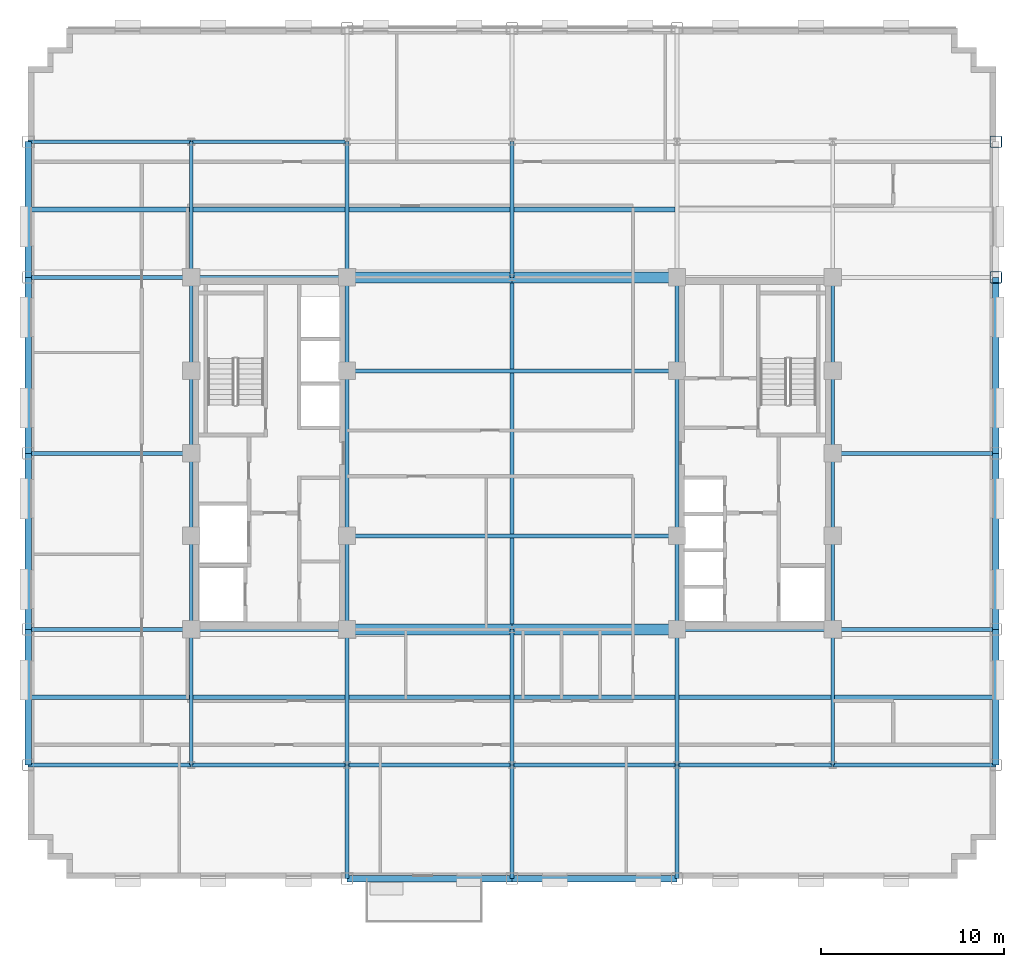
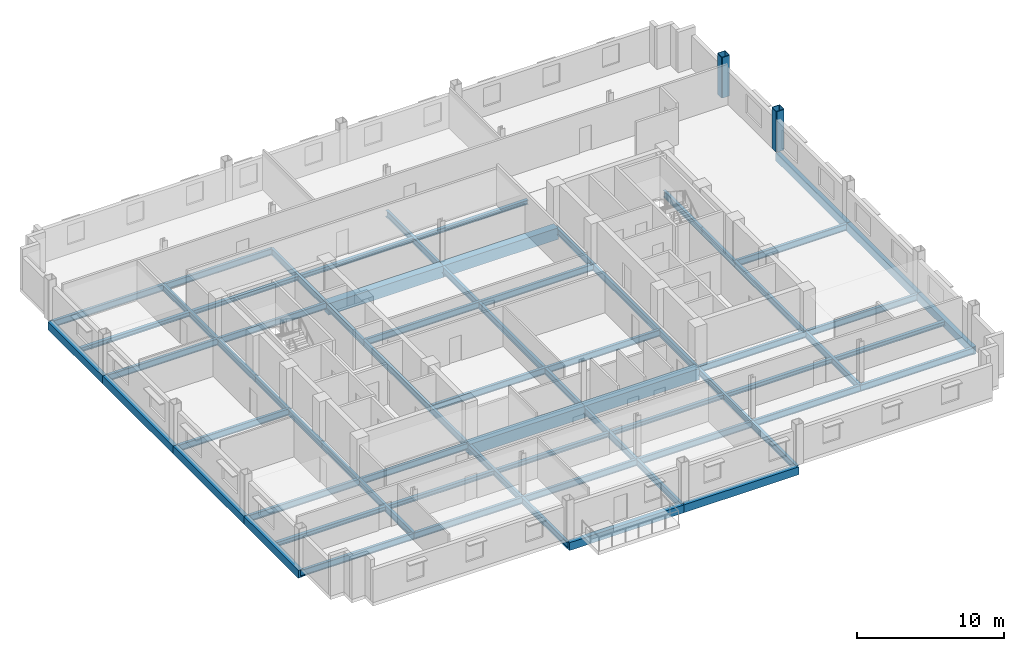
# One storey, part 4 of 13: 67 beams, 2 columns.
"""IFC4 building model written with IfcOpenShell, lengths in metres."""

from ifc_helpers import new_model, si_unit, direction, frame, origin, origin_2d, place, context, subcontext, project, spatial, rectangle, hollow_rectangle, i_section, extrude, material, material_profile, profile_set, type_object, element, save


model = new_model("IFC4")

# Units and contexts
model_context = context("Model", 3, precision=1e-05, world=origin(), true_north=direction((0.0, 1.0)))
body_context = subcontext(model_context, "Body", "Model", "MODEL_VIEW")
ifc_project = project(units=[si_unit("LENGTHUNIT", "METRE"), si_unit("AREAUNIT", "SQUARE_METRE"), si_unit("VOLUMEUNIT", "CUBIC_METRE"), si_unit("PLANEANGLEUNIT", "RADIAN"), si_unit("MASSUNIT", "GRAM", prefix="KILO")], contexts=[model_context])

# Site, building, storey
site_placement = place(None, origin())
site = spatial("IfcSite", under=ifc_project, at=site_placement, CompositionType="ELEMENT")
building_placement = place(site_placement, origin())
building = spatial("IfcBuilding", under=site, at=building_placement, Name="Nuvemarco Arch Tower", CompositionType="ELEMENT")
storey_placement = place(building_placement, frame((0.0, 0.0, 156.699951171875)))
storey = spatial("IfcBuildingStorey", under=building, at=storey_placement, Name="L41", CompositionType="ELEMENT", Elevation=156.699951171875)

# Columns
ifc_material_1 = material(Name="Steel S355", Category="steel")
ifc_material_profile_1 = material_profile(ifc_material_1, hollow_rectangle(XDim=0.64990234375, YDim=0.64990234375, WallThickness=0.0400390625, InnerFilletRadius=0.0400390625, OuterFilletRadius=0.080078125, at=origin_2d()), Name="SHS650x650x40")
ifc_profile_set_1 = profile_set([ifc_material_profile_1], Name="Steel S355")
column_type = type_object("IfcColumnType", Name="COL-EXO-650", PredefinedType="COLUMN", material=ifc_profile_set_1)
for number, where, z_axis, x_axis, name in (
    (1, (26.39990234375, 9.60009765625, 0.0), (0.0, 0.0, 1.0), (1.0, 0.0, 0.0), "L41 column CX_+26.4_+9.6"),
    (2, (26.39990234375, 17.0, 0.0), (0.0, 0.0, 1.0), (1.0, 0.0, 0.0), "L41 column CX_+26.4_+17.0"),
):
    element("IfcColumn", number, at=place(storey_placement, frame(where, z_axis=z_axis, x_axis=x_axis)), inside=storey, type_object=column_type, Name=name, PredefinedType="COLUMN", context=body_context, shape_type="SweptSolid", body=[
        extrude(hollow_rectangle(XDim=0.64990234375, YDim=0.64990234375, WallThickness=0.0400390625, InnerFilletRadius=0.0400390625, OuterFilletRadius=0.080078125, at=origin_2d()), origin(), (0.0, 0.0, 1.0), 3.3701171875),
    ])

# Beams
ifc_material_2 = material(Name="Concrete C60/75", Category="concrete")
ifc_material_profile_2 = material_profile(ifc_material_2, rectangle(XDim=0.60009765625, YDim=0.949951171875, at=origin_2d()), Name="RC-BM-600x950")
ifc_profile_set_2 = profile_set([ifc_material_profile_2], Name="Concrete C60/75")
beam_type_1 = type_object("IfcBeamType", Name="BM-COUP-RC", PredefinedType="LINTEL", material=ifc_profile_set_2)
for number, where, z_axis, x_axis, name in (
    (3, (-9.0, -9.60009765625, -0.7548828125), (1.0, 0.0, 0.0), (0.0, 1.0, 0.0), "L41 structural beam BGEW_L41_0_-9.6_-9.0"),
    (4, (0.0, -9.60009765625, -0.7548828125), (1.0, 0.0, 0.0), (0.0, 1.0, 0.0), "L41 structural beam BGEW_L41_0_-9.6_+0.0"),
    (5, (-9.0, 9.60009765625, -0.7548828125), (1.0, 0.0, 0.0), (0.0, 1.0, 0.0), "L41 structural beam BGEW_L41_0_+9.6_-9.0"),
    (6, (0.0, 9.60009765625, -0.7548828125), (1.0, 0.0, 0.0), (0.0, 1.0, 0.0), "L41 structural beam BGEW_L41_0_+9.6_+0.0"),
):
    element("IfcBeam", number, at=place(storey_placement, frame(where, z_axis=z_axis, x_axis=x_axis)), inside=storey, type_object=beam_type_1, Name=name, PredefinedType="LINTEL", context=body_context, shape_type="SweptSolid", body=[
        extrude(rectangle(XDim=0.60009765625, YDim=0.949951171875, at=origin_2d()), origin(), (0.0, 0.0, 1.0), 9.0),
    ])
ifc_material_profile_3 = material_profile(ifc_material_1, i_section(OverallWidth=0.2109375, OverallDepth=0.5390625, WebThickness=0.01171875, FlangeThickness=0.018798828125, FilletRadius=0.01611328125, at=origin_2d()), Name="W530x109")
ifc_profile_set_3 = profile_set([ifc_material_profile_3], Name="Steel S355")
beam_type_2 = type_object("IfcBeamType", Name="BM-GIRD-530", PredefinedType="BEAM", material=ifc_profile_set_3)
beam_1_placement = place(storey_placement, frame((-17.5, -17.0, -0.549560546875), z_axis=(0.0, 1.0, 0.0), x_axis=(-1.0, 0.0, 0.0)))
element("IfcBeam", 7, at=beam_1_placement, inside=storey, type_object=beam_type_2, Name="L41 structural beam BGNS_L41_0_-17.5_-17.0", PredefinedType="BEAM", context=body_context, shape_type="SweptSolid", body=[
    extrude(i_section(OverallWidth=0.2109375, OverallDepth=0.5390625, WebThickness=0.01171875, FlangeThickness=0.018798828125, FilletRadius=0.01611328125, at=origin_2d()), origin(), (0.0, 0.0, 1.0), 7.39990234375),
])
beam_2_placement = place(storey_placement, frame((-17.5, -9.60009765625, -0.549560546875), z_axis=(0.0, 1.0, 0.0), x_axis=(-1.0, 0.0, 0.0)))
element("IfcBeam", 8, at=beam_2_placement, inside=storey, type_object=beam_type_2, Name="L41 structural beam BGNS_L41_0_-17.5_-9.6", PredefinedType="BEAM", context=body_context, shape_type="SweptSolid", body=[
    extrude(i_section(OverallWidth=0.2109375, OverallDepth=0.5390625, WebThickness=0.01171875, FlangeThickness=0.018798828125, FilletRadius=0.01611328125, at=origin_2d()), origin(), (0.0, 0.0, 1.0), 5.10009765625),
])
for number, where, z_axis, x_axis, name in (
    (9, (-17.5, -4.5, -0.549560546875), (0.0, 1.0, 0.0), (-1.0, 0.0, 0.0), "L41 structural beam BGNS_L41_0_-17.5_-4.5"),
    (10, (-17.5, 0.0, -0.549560546875), (0.0, 1.0, 0.0), (-1.0, 0.0, 0.0), "L41 structural beam BGNS_L41_0_-17.5_+0.0"),
):
    element("IfcBeam", number, at=place(storey_placement, frame(where, z_axis=z_axis, x_axis=x_axis)), inside=storey, type_object=beam_type_2, Name=name, PredefinedType="BEAM", context=body_context, shape_type="SweptSolid", body=[
        extrude(i_section(OverallWidth=0.2109375, OverallDepth=0.5390625, WebThickness=0.01171875, FlangeThickness=0.018798828125, FilletRadius=0.01611328125, at=origin_2d()), origin(), (0.0, 0.0, 1.0), 4.5),
    ])
beam_3_placement = place(storey_placement, frame((-17.5, 4.5, -0.549560546875), z_axis=(0.0, 1.0, 0.0), x_axis=(-1.0, 0.0, 0.0)))
element("IfcBeam", 11, at=beam_3_placement, inside=storey, type_object=beam_type_2, Name="L41 structural beam BGNS_L41_0_-17.5_+4.5", PredefinedType="BEAM", context=body_context, shape_type="SweptSolid", body=[
    extrude(i_section(OverallWidth=0.2109375, OverallDepth=0.5390625, WebThickness=0.01171875, FlangeThickness=0.018798828125, FilletRadius=0.01611328125, at=origin_2d()), origin(), (0.0, 0.0, 1.0), 5.10009765625),
])
beam_4_placement = place(storey_placement, frame((-17.5, 9.60009765625, -0.549560546875), z_axis=(0.0, 1.0, 0.0), x_axis=(-1.0, 0.0, 0.0)))
element("IfcBeam", 12, at=beam_4_placement, inside=storey, type_object=beam_type_2, Name="L41 structural beam BGNS_L41_0_-17.5_+9.6", PredefinedType="BEAM", context=body_context, shape_type="SweptSolid", body=[
    extrude(i_section(OverallWidth=0.2109375, OverallDepth=0.5390625, WebThickness=0.01171875, FlangeThickness=0.018798828125, FilletRadius=0.01611328125, at=origin_2d()), origin(), (0.0, 0.0, 1.0), 7.39990234375),
])
beam_5_placement = place(storey_placement, frame((-9.0, -23.199951171875, -0.549560546875), z_axis=(0.0, 1.0, 0.0), x_axis=(-1.0, 0.0, 0.0)))
element("IfcBeam", 13, at=beam_5_placement, inside=storey, type_object=beam_type_2, Name="L41 structural beam BGNS_L41_0_-9.0_-23.2", PredefinedType="BEAM", context=body_context, shape_type="SweptSolid", body=[
    extrude(i_section(OverallWidth=0.2109375, OverallDepth=0.5390625, WebThickness=0.01171875, FlangeThickness=0.018798828125, FilletRadius=0.01611328125, at=origin_2d()), origin(), (0.0, 0.0, 1.0), 6.199951171875),
])
beam_6_placement = place(storey_placement, frame((-9.0, -17.0, -0.549560546875), z_axis=(0.0, 1.0, 0.0), x_axis=(-1.0, 0.0, 0.0)))
element("IfcBeam", 14, at=beam_6_placement, inside=storey, type_object=beam_type_2, Name="L41 structural beam BGNS_L41_0_-9.0_-17.0", PredefinedType="BEAM", context=body_context, shape_type="SweptSolid", body=[
    extrude(i_section(OverallWidth=0.2109375, OverallDepth=0.5390625, WebThickness=0.01171875, FlangeThickness=0.018798828125, FilletRadius=0.01611328125, at=origin_2d()), origin(), (0.0, 0.0, 1.0), 7.39990234375),
])
beam_7_placement = place(storey_placement, frame((-9.0, -9.60009765625, -0.549560546875), z_axis=(0.0, 1.0, 0.0), x_axis=(-1.0, 0.0, 0.0)))
element("IfcBeam", 15, at=beam_7_placement, inside=storey, type_object=beam_type_2, Name="L41 structural beam BGNS_L41_0_-9.0_-9.6", PredefinedType="BEAM", context=body_context, shape_type="SweptSolid", body=[
    extrude(i_section(OverallWidth=0.2109375, OverallDepth=0.5390625, WebThickness=0.01171875, FlangeThickness=0.018798828125, FilletRadius=0.01611328125, at=origin_2d()), origin(), (0.0, 0.0, 1.0), 5.10009765625),
])
beam_8_placement = place(storey_placement, frame((-9.0, -4.5, -0.549560546875), z_axis=(0.0, 1.0, 0.0), x_axis=(-1.0, 0.0, 0.0)))
element("IfcBeam", 16, at=beam_8_placement, inside=storey, type_object=beam_type_2, Name="L41 structural beam BGNS_L41_0_-9.0_-4.5", PredefinedType="BEAM", context=body_context, shape_type="SweptSolid", body=[
    extrude(i_section(OverallWidth=0.2109375, OverallDepth=0.5390625, WebThickness=0.01171875, FlangeThickness=0.018798828125, FilletRadius=0.01611328125, at=origin_2d()), origin(), (0.0, 0.0, 1.0), 9.0),
])
beam_9_placement = place(storey_placement, frame((-9.0, 4.5, -0.549560546875), z_axis=(0.0, 1.0, 0.0), x_axis=(-1.0, 0.0, 0.0)))
element("IfcBeam", 17, at=beam_9_placement, inside=storey, type_object=beam_type_2, Name="L41 structural beam BGNS_L41_0_-9.0_+4.5", PredefinedType="BEAM", context=body_context, shape_type="SweptSolid", body=[
    extrude(i_section(OverallWidth=0.2109375, OverallDepth=0.5390625, WebThickness=0.01171875, FlangeThickness=0.018798828125, FilletRadius=0.01611328125, at=origin_2d()), origin(), (0.0, 0.0, 1.0), 5.10009765625),
])
beam_10_placement = place(storey_placement, frame((-9.0, 9.60009765625, -0.549560546875), z_axis=(0.0, 1.0, 0.0), x_axis=(-1.0, 0.0, 0.0)))
element("IfcBeam", 18, at=beam_10_placement, inside=storey, type_object=beam_type_2, Name="L41 structural beam BGNS_L41_0_-9.0_+9.6", PredefinedType="BEAM", context=body_context, shape_type="SweptSolid", body=[
    extrude(i_section(OverallWidth=0.2109375, OverallDepth=0.5390625, WebThickness=0.01171875, FlangeThickness=0.018798828125, FilletRadius=0.01611328125, at=origin_2d()), origin(), (0.0, 0.0, 1.0), 7.39990234375),
])
beam_11_placement = place(storey_placement, frame((0.0, -23.199951171875, -0.549560546875), z_axis=(0.0, 1.0, 0.0), x_axis=(-1.0, 0.0, 0.0)))
element("IfcBeam", 19, at=beam_11_placement, inside=storey, type_object=beam_type_2, Name="L41 structural beam BGNS_L41_0_+0.0_-23.2", PredefinedType="BEAM", context=body_context, shape_type="SweptSolid", body=[
    extrude(i_section(OverallWidth=0.2109375, OverallDepth=0.5390625, WebThickness=0.01171875, FlangeThickness=0.018798828125, FilletRadius=0.01611328125, at=origin_2d()), origin(), (0.0, 0.0, 1.0), 6.199951171875),
])
beam_12_placement = place(storey_placement, frame((0.0, -17.0, -0.549560546875), z_axis=(0.0, 1.0, 0.0), x_axis=(-1.0, 0.0, 0.0)))
element("IfcBeam", 20, at=beam_12_placement, inside=storey, type_object=beam_type_2, Name="L41 structural beam BGNS_L41_0_+0.0_-17.0", PredefinedType="BEAM", context=body_context, shape_type="SweptSolid", body=[
    extrude(i_section(OverallWidth=0.2109375, OverallDepth=0.5390625, WebThickness=0.01171875, FlangeThickness=0.018798828125, FilletRadius=0.01611328125, at=origin_2d()), origin(), (0.0, 0.0, 1.0), 7.39990234375),
])
beam_13_placement = place(storey_placement, frame((0.0, -9.60009765625, -0.549560546875), z_axis=(0.0, 1.0, 0.0), x_axis=(-1.0, 0.0, 0.0)))
element("IfcBeam", 21, at=beam_13_placement, inside=storey, type_object=beam_type_2, Name="L41 structural beam BGNS_L41_0_+0.0_-9.6", PredefinedType="BEAM", context=body_context, shape_type="SweptSolid", body=[
    extrude(i_section(OverallWidth=0.2109375, OverallDepth=0.5390625, WebThickness=0.01171875, FlangeThickness=0.018798828125, FilletRadius=0.01611328125, at=origin_2d()), origin(), (0.0, 0.0, 1.0), 19.2001953125),
])
beam_14_placement = place(storey_placement, frame((0.0, 9.60009765625, -0.549560546875), z_axis=(0.0, 1.0, 0.0), x_axis=(-1.0, 0.0, 0.0)))
element("IfcBeam", 22, at=beam_14_placement, inside=storey, type_object=beam_type_2, Name="L41 structural beam BGNS_L41_0_+0.0_+9.6", PredefinedType="BEAM", context=body_context, shape_type="SweptSolid", body=[
    extrude(i_section(OverallWidth=0.2109375, OverallDepth=0.5390625, WebThickness=0.01171875, FlangeThickness=0.018798828125, FilletRadius=0.01611328125, at=origin_2d()), origin(), (0.0, 0.0, 1.0), 7.39990234375),
])
beam_15_placement = place(storey_placement, frame((9.0, -23.199951171875, -0.549560546875), z_axis=(0.0, 1.0, 0.0), x_axis=(-1.0, 0.0, 0.0)))
element("IfcBeam", 23, at=beam_15_placement, inside=storey, type_object=beam_type_2, Name="L41 structural beam BGNS_L41_0_+9.0_-23.2", PredefinedType="BEAM", context=body_context, shape_type="SweptSolid", body=[
    extrude(i_section(OverallWidth=0.2109375, OverallDepth=0.5390625, WebThickness=0.01171875, FlangeThickness=0.018798828125, FilletRadius=0.01611328125, at=origin_2d()), origin(), (0.0, 0.0, 1.0), 6.199951171875),
])
beam_16_placement = place(storey_placement, frame((9.0, -17.0, -0.549560546875), z_axis=(0.0, 1.0, 0.0), x_axis=(-1.0, 0.0, 0.0)))
element("IfcBeam", 24, at=beam_16_placement, inside=storey, type_object=beam_type_2, Name="L41 structural beam BGNS_L41_0_+9.0_-17.0", PredefinedType="BEAM", context=body_context, shape_type="SweptSolid", body=[
    extrude(i_section(OverallWidth=0.2109375, OverallDepth=0.5390625, WebThickness=0.01171875, FlangeThickness=0.018798828125, FilletRadius=0.01611328125, at=origin_2d()), origin(), (0.0, 0.0, 1.0), 7.39990234375),
])
beam_17_placement = place(storey_placement, frame((9.0, -9.60009765625, -0.549560546875), z_axis=(0.0, 1.0, 0.0), x_axis=(-1.0, 0.0, 0.0)))
element("IfcBeam", 25, at=beam_17_placement, inside=storey, type_object=beam_type_2, Name="L41 structural beam BGNS_L41_0_+9.0_-9.6", PredefinedType="BEAM", context=body_context, shape_type="SweptSolid", body=[
    extrude(i_section(OverallWidth=0.2109375, OverallDepth=0.5390625, WebThickness=0.01171875, FlangeThickness=0.018798828125, FilletRadius=0.01611328125, at=origin_2d()), origin(), (0.0, 0.0, 1.0), 5.10009765625),
])
beam_18_placement = place(storey_placement, frame((9.0, -4.5, -0.549560546875), z_axis=(0.0, 1.0, 0.0), x_axis=(-1.0, 0.0, 0.0)))
element("IfcBeam", 26, at=beam_18_placement, inside=storey, type_object=beam_type_2, Name="L41 structural beam BGNS_L41_0_+9.0_-4.5", PredefinedType="BEAM", context=body_context, shape_type="SweptSolid", body=[
    extrude(i_section(OverallWidth=0.2109375, OverallDepth=0.5390625, WebThickness=0.01171875, FlangeThickness=0.018798828125, FilletRadius=0.01611328125, at=origin_2d()), origin(), (0.0, 0.0, 1.0), 9.0),
])
beam_19_placement = place(storey_placement, frame((9.0, 4.5, -0.549560546875), z_axis=(0.0, 1.0, 0.0), x_axis=(-1.0, 0.0, 0.0)))
element("IfcBeam", 27, at=beam_19_placement, inside=storey, type_object=beam_type_2, Name="L41 structural beam BGNS_L41_0_+9.0_+4.5", PredefinedType="BEAM", context=body_context, shape_type="SweptSolid", body=[
    extrude(i_section(OverallWidth=0.2109375, OverallDepth=0.5390625, WebThickness=0.01171875, FlangeThickness=0.018798828125, FilletRadius=0.01611328125, at=origin_2d()), origin(), (0.0, 0.0, 1.0), 5.10009765625),
])
beam_20_placement = place(storey_placement, frame((17.5, -17.0, -0.549560546875), z_axis=(0.0, 1.0, 0.0), x_axis=(-1.0, 0.0, 0.0)))
element("IfcBeam", 28, at=beam_20_placement, inside=storey, type_object=beam_type_2, Name="L41 structural beam BGNS_L41_0_+17.5_-17.0", PredefinedType="BEAM", context=body_context, shape_type="SweptSolid", body=[
    extrude(i_section(OverallWidth=0.2109375, OverallDepth=0.5390625, WebThickness=0.01171875, FlangeThickness=0.018798828125, FilletRadius=0.01611328125, at=origin_2d()), origin(), (0.0, 0.0, 1.0), 7.39990234375),
])
beam_21_placement = place(storey_placement, frame((17.5, -9.60009765625, -0.549560546875), z_axis=(0.0, 1.0, 0.0), x_axis=(-1.0, 0.0, 0.0)))
element("IfcBeam", 29, at=beam_21_placement, inside=storey, type_object=beam_type_2, Name="L41 structural beam BGNS_L41_0_+17.5_-9.6", PredefinedType="BEAM", context=body_context, shape_type="SweptSolid", body=[
    extrude(i_section(OverallWidth=0.2109375, OverallDepth=0.5390625, WebThickness=0.01171875, FlangeThickness=0.018798828125, FilletRadius=0.01611328125, at=origin_2d()), origin(), (0.0, 0.0, 1.0), 5.10009765625),
])
for number, where, z_axis, x_axis, name in (
    (30, (17.5, -4.5, -0.549560546875), (0.0, 1.0, 0.0), (-1.0, 0.0, 0.0), "L41 structural beam BGNS_L41_0_+17.5_-4.5"),
    (31, (17.5, 0.0, -0.549560546875), (0.0, 1.0, 0.0), (-1.0, 0.0, 0.0), "L41 structural beam BGNS_L41_0_+17.5_+0.0"),
):
    element("IfcBeam", number, at=place(storey_placement, frame(where, z_axis=z_axis, x_axis=x_axis)), inside=storey, type_object=beam_type_2, Name=name, PredefinedType="BEAM", context=body_context, shape_type="SweptSolid", body=[
        extrude(i_section(OverallWidth=0.2109375, OverallDepth=0.5390625, WebThickness=0.01171875, FlangeThickness=0.018798828125, FilletRadius=0.01611328125, at=origin_2d()), origin(), (0.0, 0.0, 1.0), 4.5),
    ])
beam_22_placement = place(storey_placement, frame((17.5, 4.5, -0.549560546875), z_axis=(0.0, 1.0, 0.0), x_axis=(-1.0, 0.0, 0.0)))
element("IfcBeam", 32, at=beam_22_placement, inside=storey, type_object=beam_type_2, Name="L41 structural beam BGNS_L41_0_+17.5_+4.5", PredefinedType="BEAM", context=body_context, shape_type="SweptSolid", body=[
    extrude(i_section(OverallWidth=0.2109375, OverallDepth=0.5390625, WebThickness=0.01171875, FlangeThickness=0.018798828125, FilletRadius=0.01611328125, at=origin_2d()), origin(), (0.0, 0.0, 1.0), 5.10009765625),
])
beam_23_placement = place(storey_placement, frame((-26.39990234375, -17.0, -0.549560546875), z_axis=(1.0, 0.0, 0.0), x_axis=(0.0, 1.0, 0.0)))
element("IfcBeam", 33, at=beam_23_placement, inside=storey, type_object=beam_type_2, Name="L41 structural beam BGEW_L41_0_-17.0_-26.4", PredefinedType="BEAM", context=body_context, shape_type="SweptSolid", body=[
    extrude(i_section(OverallWidth=0.2109375, OverallDepth=0.5390625, WebThickness=0.01171875, FlangeThickness=0.018798828125, FilletRadius=0.01611328125, at=origin_2d()), origin(), (0.0, 0.0, 1.0), 8.89990234375),
])
beam_24_placement = place(storey_placement, frame((-17.5, -17.0, -0.549560546875), z_axis=(1.0, 0.0, 0.0), x_axis=(0.0, 1.0, 0.0)))
element("IfcBeam", 34, at=beam_24_placement, inside=storey, type_object=beam_type_2, Name="L41 structural beam BGEW_L41_0_-17.0_-17.5", PredefinedType="BEAM", context=body_context, shape_type="SweptSolid", body=[
    extrude(i_section(OverallWidth=0.2109375, OverallDepth=0.5390625, WebThickness=0.01171875, FlangeThickness=0.018798828125, FilletRadius=0.01611328125, at=origin_2d()), origin(), (0.0, 0.0, 1.0), 8.5),
])
for number, where, z_axis, x_axis, name in (
    (35, (-9.0, -17.0, -0.549560546875), (1.0, 0.0, 0.0), (0.0, 1.0, 0.0), "L41 structural beam BGEW_L41_0_-17.0_-9.0"),
    (36, (0.0, -17.0, -0.549560546875), (1.0, 0.0, 0.0), (0.0, 1.0, 0.0), "L41 structural beam BGEW_L41_0_-17.0_+0.0"),
):
    element("IfcBeam", number, at=place(storey_placement, frame(where, z_axis=z_axis, x_axis=x_axis)), inside=storey, type_object=beam_type_2, Name=name, PredefinedType="BEAM", context=body_context, shape_type="SweptSolid", body=[
        extrude(i_section(OverallWidth=0.2109375, OverallDepth=0.5390625, WebThickness=0.01171875, FlangeThickness=0.018798828125, FilletRadius=0.01611328125, at=origin_2d()), origin(), (0.0, 0.0, 1.0), 9.0),
    ])
beam_25_placement = place(storey_placement, frame((9.0, -17.0, -0.549560546875), z_axis=(1.0, 0.0, 0.0), x_axis=(0.0, 1.0, 0.0)))
element("IfcBeam", 37, at=beam_25_placement, inside=storey, type_object=beam_type_2, Name="L41 structural beam BGEW_L41_0_-17.0_+9.0", PredefinedType="BEAM", context=body_context, shape_type="SweptSolid", body=[
    extrude(i_section(OverallWidth=0.2109375, OverallDepth=0.5390625, WebThickness=0.01171875, FlangeThickness=0.018798828125, FilletRadius=0.01611328125, at=origin_2d()), origin(), (0.0, 0.0, 1.0), 8.5),
])
for number, where, z_axis, x_axis, name in (
    (38, (17.5, -17.0, -0.549560546875), (1.0, 0.0, 0.0), (0.0, 1.0, 0.0), "L41 structural beam BGEW_L41_0_-17.0_+17.5"),
    (39, (-26.39990234375, -9.60009765625, -0.549560546875), (1.0, 0.0, 0.0), (0.0, 1.0, 0.0), "L41 structural beam BGEW_L41_0_-9.6_-26.4"),
):
    element("IfcBeam", number, at=place(storey_placement, frame(where, z_axis=z_axis, x_axis=x_axis)), inside=storey, type_object=beam_type_2, Name=name, PredefinedType="BEAM", context=body_context, shape_type="SweptSolid", body=[
        extrude(i_section(OverallWidth=0.2109375, OverallDepth=0.5390625, WebThickness=0.01171875, FlangeThickness=0.018798828125, FilletRadius=0.01611328125, at=origin_2d()), origin(), (0.0, 0.0, 1.0), 8.89990234375),
    ])
for number, where, z_axis, x_axis, name in (
    (40, (-17.5, -9.60009765625, -0.549560546875), (1.0, 0.0, 0.0), (0.0, 1.0, 0.0), "L41 structural beam BGEW_L41_0_-9.6_-17.5"),
    (41, (9.0, -9.60009765625, -0.549560546875), (1.0, 0.0, 0.0), (0.0, 1.0, 0.0), "L41 structural beam BGEW_L41_0_-9.6_+9.0"),
):
    element("IfcBeam", number, at=place(storey_placement, frame(where, z_axis=z_axis, x_axis=x_axis)), inside=storey, type_object=beam_type_2, Name=name, PredefinedType="BEAM", context=body_context, shape_type="SweptSolid", body=[
        extrude(i_section(OverallWidth=0.2109375, OverallDepth=0.5390625, WebThickness=0.01171875, FlangeThickness=0.018798828125, FilletRadius=0.01611328125, at=origin_2d()), origin(), (0.0, 0.0, 1.0), 8.5),
    ])
beam_26_placement = place(storey_placement, frame((17.5, -9.60009765625, -0.549560546875), z_axis=(1.0, 0.0, 0.0), x_axis=(0.0, 1.0, 0.0)))
element("IfcBeam", 42, at=beam_26_placement, inside=storey, type_object=beam_type_2, Name="L41 structural beam BGEW_L41_0_-9.6_+17.5", PredefinedType="BEAM", context=body_context, shape_type="SweptSolid", body=[
    extrude(i_section(OverallWidth=0.2109375, OverallDepth=0.5390625, WebThickness=0.01171875, FlangeThickness=0.018798828125, FilletRadius=0.01611328125, at=origin_2d()), origin(), (0.0, 0.0, 1.0), 8.89990234375),
])
beam_27_placement = place(storey_placement, frame((-9.0, -4.5, -0.549560546875), z_axis=(1.0, 0.0, 0.0), x_axis=(0.0, 1.0, 0.0)))
element("IfcBeam", 43, at=beam_27_placement, inside=storey, type_object=beam_type_2, Name="L41 structural beam BGEW_L41_0_-4.5_-9.0", PredefinedType="BEAM", context=body_context, shape_type="SweptSolid", body=[
    extrude(i_section(OverallWidth=0.2109375, OverallDepth=0.5390625, WebThickness=0.01171875, FlangeThickness=0.018798828125, FilletRadius=0.01611328125, at=origin_2d()), origin(), (0.0, 0.0, 1.0), 18.0),
])
for number, where, z_axis, x_axis, name in (
    (44, (-26.39990234375, 0.0, -0.549560546875), (1.0, 0.0, 0.0), (0.0, 1.0, 0.0), "L41 structural beam BGEW_L41_0_+0.0_-26.4"),
    (45, (17.5, 0.0, -0.549560546875), (1.0, 0.0, 0.0), (0.0, 1.0, 0.0), "L41 structural beam BGEW_L41_0_+0.0_+17.5"),
):
    element("IfcBeam", number, at=place(storey_placement, frame(where, z_axis=z_axis, x_axis=x_axis)), inside=storey, type_object=beam_type_2, Name=name, PredefinedType="BEAM", context=body_context, shape_type="SweptSolid", body=[
        extrude(i_section(OverallWidth=0.2109375, OverallDepth=0.5390625, WebThickness=0.01171875, FlangeThickness=0.018798828125, FilletRadius=0.01611328125, at=origin_2d()), origin(), (0.0, 0.0, 1.0), 8.89990234375),
    ])
beam_28_placement = place(storey_placement, frame((-9.0, 4.5, -0.549560546875), z_axis=(1.0, 0.0, 0.0), x_axis=(0.0, 1.0, 0.0)))
element("IfcBeam", 46, at=beam_28_placement, inside=storey, type_object=beam_type_2, Name="L41 structural beam BGEW_L41_0_+4.5_-9.0", PredefinedType="BEAM", context=body_context, shape_type="SweptSolid", body=[
    extrude(i_section(OverallWidth=0.2109375, OverallDepth=0.5390625, WebThickness=0.01171875, FlangeThickness=0.018798828125, FilletRadius=0.01611328125, at=origin_2d()), origin(), (0.0, 0.0, 1.0), 18.0),
])
beam_29_placement = place(storey_placement, frame((-26.39990234375, 9.60009765625, -0.549560546875), z_axis=(1.0, 0.0, 0.0), x_axis=(0.0, 1.0, 0.0)))
element("IfcBeam", 47, at=beam_29_placement, inside=storey, type_object=beam_type_2, Name="L41 structural beam BGEW_L41_0_+9.6_-26.4", PredefinedType="BEAM", context=body_context, shape_type="SweptSolid", body=[
    extrude(i_section(OverallWidth=0.2109375, OverallDepth=0.5390625, WebThickness=0.01171875, FlangeThickness=0.018798828125, FilletRadius=0.01611328125, at=origin_2d()), origin(), (0.0, 0.0, 1.0), 8.89990234375),
])
beam_30_placement = place(storey_placement, frame((-17.5, 9.60009765625, -0.549560546875), z_axis=(1.0, 0.0, 0.0), x_axis=(0.0, 1.0, 0.0)))
element("IfcBeam", 48, at=beam_30_placement, inside=storey, type_object=beam_type_2, Name="L41 structural beam BGEW_L41_0_+9.6_-17.5", PredefinedType="BEAM", context=body_context, shape_type="SweptSolid", body=[
    extrude(i_section(OverallWidth=0.2109375, OverallDepth=0.5390625, WebThickness=0.01171875, FlangeThickness=0.018798828125, FilletRadius=0.01611328125, at=origin_2d()), origin(), (0.0, 0.0, 1.0), 8.5),
])
beam_31_placement = place(storey_placement, frame((-26.39990234375, 17.0, -0.549560546875), z_axis=(1.0, 0.0, 0.0), x_axis=(0.0, 1.0, 0.0)))
element("IfcBeam", 49, at=beam_31_placement, inside=storey, type_object=beam_type_2, Name="L41 structural beam BGEW_L41_0_+17.0_-26.4", PredefinedType="BEAM", context=body_context, shape_type="SweptSolid", body=[
    extrude(i_section(OverallWidth=0.2109375, OverallDepth=0.5390625, WebThickness=0.01171875, FlangeThickness=0.018798828125, FilletRadius=0.01611328125, at=origin_2d()), origin(), (0.0, 0.0, 1.0), 8.89990234375),
])
beam_32_placement = place(storey_placement, frame((-17.5, 17.0, -0.549560546875), z_axis=(1.0, 0.0, 0.0), x_axis=(0.0, 1.0, 0.0)))
element("IfcBeam", 50, at=beam_32_placement, inside=storey, type_object=beam_type_2, Name="L41 structural beam BGEW_L41_0_+17.0_-17.5", PredefinedType="BEAM", context=body_context, shape_type="SweptSolid", body=[
    extrude(i_section(OverallWidth=0.2109375, OverallDepth=0.5390625, WebThickness=0.01171875, FlangeThickness=0.018798828125, FilletRadius=0.01611328125, at=origin_2d()), origin(), (0.0, 0.0, 1.0), 8.5),
])
ifc_material_profile_4 = material_profile(ifc_material_1, i_section(OverallWidth=0.2548828125, OverallDepth=0.35693359375, WebThickness=0.010498046875, FlangeThickness=0.018310546875, FilletRadius=0.014892578125, at=origin_2d()), Name="W360x101")
ifc_profile_set_4 = profile_set([ifc_material_profile_4], Name="Steel S355")
beam_type_3 = type_object("IfcBeamType", Name="BM-JOIST-360H", PredefinedType="JOIST", material=ifc_profile_set_4)
beam_33_placement = place(storey_placement, frame((-26.22509765625, -13.300048828125, -0.45849609375), z_axis=(1.0, 0.0, 0.0), x_axis=(0.0, 1.0, 0.0)))
element("IfcBeam", 51, at=beam_33_placement, inside=storey, type_object=beam_type_3, Name="L41 structural beam BJ_L41_0_-13.3_-26.4", PredefinedType="JOIST", context=body_context, shape_type="SweptSolid", body=[
    extrude(i_section(OverallWidth=0.2548828125, OverallDepth=0.35693359375, WebThickness=0.010498046875, FlangeThickness=0.018310546875, FilletRadius=0.014892578125, at=origin_2d()), origin(), (0.0, 0.0, 1.0), 8.61962890625),
])
beam_34_placement = place(storey_placement, frame((-17.39453125, -13.300048828125, -0.45849609375), z_axis=(1.0, 0.0, 0.0), x_axis=(0.0, 1.0, 0.0)))
element("IfcBeam", 52, at=beam_34_placement, inside=storey, type_object=beam_type_3, Name="L41 structural beam BJ_L41_0_-13.3_-17.5", PredefinedType="JOIST", context=body_context, shape_type="SweptSolid", body=[
    extrude(i_section(OverallWidth=0.2548828125, OverallDepth=0.35693359375, WebThickness=0.010498046875, FlangeThickness=0.018310546875, FilletRadius=0.014892578125, at=origin_2d()), origin(), (0.0, 0.0, 1.0), 8.2890625),
])
for number, where, z_axis, x_axis, name in (
    (53, (-8.89453125, -13.300048828125, -0.45849609375), (1.0, 0.0, 0.0), (0.0, 1.0, 0.0), "L41 structural beam BJ_L41_0_-13.3_-9.0"),
    (54, (0.10546875, -13.300048828125, -0.45849609375), (1.0, 0.0, 0.0), (0.0, 1.0, 0.0), "L41 structural beam BJ_L41_0_-13.3_+0.0"),
):
    element("IfcBeam", number, at=place(storey_placement, frame(where, z_axis=z_axis, x_axis=x_axis)), inside=storey, type_object=beam_type_3, Name=name, PredefinedType="JOIST", context=body_context, shape_type="SweptSolid", body=[
        extrude(i_section(OverallWidth=0.2548828125, OverallDepth=0.35693359375, WebThickness=0.010498046875, FlangeThickness=0.018310546875, FilletRadius=0.014892578125, at=origin_2d()), origin(), (0.0, 0.0, 1.0), 8.7890625),
    ])
beam_35_placement = place(storey_placement, frame((9.10546875, -13.300048828125, -0.45849609375), z_axis=(1.0, 0.0, 0.0), x_axis=(0.0, 1.0, 0.0)))
element("IfcBeam", 55, at=beam_35_placement, inside=storey, type_object=beam_type_3, Name="L41 structural beam BJ_L41_0_-13.3_+9.0", PredefinedType="JOIST", context=body_context, shape_type="SweptSolid", body=[
    extrude(i_section(OverallWidth=0.2548828125, OverallDepth=0.35693359375, WebThickness=0.010498046875, FlangeThickness=0.018310546875, FilletRadius=0.014892578125, at=origin_2d()), origin(), (0.0, 0.0, 1.0), 8.2890625),
])
for number, where, z_axis, x_axis, name in (
    (56, (17.60546875, -13.300048828125, -0.45849609375), (1.0, 0.0, 0.0), (0.0, 1.0, 0.0), "L41 structural beam BJ_L41_0_-13.3_+17.5"),
    (57, (-26.22509765625, 13.300048828125, -0.45849609375), (1.0, 0.0, 0.0), (0.0, 1.0, 0.0), "L41 structural beam BJ_L41_0_+13.3_-26.4"),
):
    element("IfcBeam", number, at=place(storey_placement, frame(where, z_axis=z_axis, x_axis=x_axis)), inside=storey, type_object=beam_type_3, Name=name, PredefinedType="JOIST", context=body_context, shape_type="SweptSolid", body=[
        extrude(i_section(OverallWidth=0.2548828125, OverallDepth=0.35693359375, WebThickness=0.010498046875, FlangeThickness=0.018310546875, FilletRadius=0.014892578125, at=origin_2d()), origin(), (0.0, 0.0, 1.0), 8.61962890625),
    ])
beam_36_placement = place(storey_placement, frame((-17.39453125, 13.300048828125, -0.45849609375), z_axis=(1.0, 0.0, 0.0), x_axis=(0.0, 1.0, 0.0)))
element("IfcBeam", 58, at=beam_36_placement, inside=storey, type_object=beam_type_3, Name="L41 structural beam BJ_L41_0_+13.3_-17.5", PredefinedType="JOIST", context=body_context, shape_type="SweptSolid", body=[
    extrude(i_section(OverallWidth=0.2548828125, OverallDepth=0.35693359375, WebThickness=0.010498046875, FlangeThickness=0.018310546875, FilletRadius=0.014892578125, at=origin_2d()), origin(), (0.0, 0.0, 1.0), 8.2890625),
])
for number, where, z_axis, x_axis, name in (
    (59, (-8.89453125, 13.300048828125, -0.45849609375), (1.0, 0.0, 0.0), (0.0, 1.0, 0.0), "L41 structural beam BJ_L41_0_+13.3_-9.0"),
    (60, (0.10546875, 13.300048828125, -0.45849609375), (1.0, 0.0, 0.0), (0.0, 1.0, 0.0), "L41 structural beam BJ_L41_0_+13.3_+0.0"),
):
    element("IfcBeam", number, at=place(storey_placement, frame(where, z_axis=z_axis, x_axis=x_axis)), inside=storey, type_object=beam_type_3, Name=name, PredefinedType="JOIST", context=body_context, shape_type="SweptSolid", body=[
        extrude(i_section(OverallWidth=0.2548828125, OverallDepth=0.35693359375, WebThickness=0.010498046875, FlangeThickness=0.018310546875, FilletRadius=0.014892578125, at=origin_2d()), origin(), (0.0, 0.0, 1.0), 8.7890625),
    ])
ifc_material_3 = material(Name="Precast concrete C45/55", Category="concrete")
ifc_material_profile_5 = material_profile(ifc_material_3, rectangle(XDim=0.35009765625, YDim=0.64990234375, at=origin_2d()), Name="PC-SP-350x650")
ifc_profile_set_5 = profile_set([ifc_material_profile_5], Name="Precast concrete C45/55")
beam_type_4 = type_object("IfcBeamType", Name="BM-SPAN-RC", PredefinedType="SPANDREL", material=ifc_profile_set_5)
beam_37_placement = place(storey_placement, frame((-26.39990234375, -17.0, -0.60498046875), z_axis=(0.0, 1.0, 0.0), x_axis=(-1.0, 0.0, 0.0)))
element("IfcBeam", 61, at=beam_37_placement, inside=storey, type_object=beam_type_4, Name="L41 structural beam BGNS_L41_0_-26.4_-17.0", PredefinedType="SPANDREL", context=body_context, shape_type="SweptSolid", body=[
    extrude(rectangle(XDim=0.35009765625, YDim=0.64990234375, at=origin_2d()), origin(), (0.0, 0.0, 1.0), 7.39990234375),
])
for number, where, z_axis, x_axis, name in (
    (62, (-26.39990234375, -9.60009765625, -0.60498046875), (0.0, 1.0, 0.0), (-1.0, 0.0, 0.0), "L41 structural beam BGNS_L41_0_-26.4_-9.6"),
    (63, (-26.39990234375, 0.0, -0.60498046875), (0.0, 1.0, 0.0), (-1.0, 0.0, 0.0), "L41 structural beam BGNS_L41_0_-26.4_+0.0"),
):
    element("IfcBeam", number, at=place(storey_placement, frame(where, z_axis=z_axis, x_axis=x_axis)), inside=storey, type_object=beam_type_4, Name=name, PredefinedType="SPANDREL", context=body_context, shape_type="SweptSolid", body=[
        extrude(rectangle(XDim=0.35009765625, YDim=0.64990234375, at=origin_2d()), origin(), (0.0, 0.0, 1.0), 9.60009765625),
    ])
for number, where, z_axis, x_axis, name in (
    (64, (-26.39990234375, 9.60009765625, -0.60498046875), (0.0, 1.0, 0.0), (-1.0, 0.0, 0.0), "L41 structural beam BGNS_L41_0_-26.4_+9.6"),
    (65, (26.39990234375, -17.0, -0.60498046875), (0.0, 1.0, 0.0), (-1.0, 0.0, 0.0), "L41 structural beam BGNS_L41_0_+26.4_-17.0"),
):
    element("IfcBeam", number, at=place(storey_placement, frame(where, z_axis=z_axis, x_axis=x_axis)), inside=storey, type_object=beam_type_4, Name=name, PredefinedType="SPANDREL", context=body_context, shape_type="SweptSolid", body=[
        extrude(rectangle(XDim=0.35009765625, YDim=0.64990234375, at=origin_2d()), origin(), (0.0, 0.0, 1.0), 7.39990234375),
    ])
for number, where, z_axis, x_axis, name in (
    (66, (26.39990234375, -9.60009765625, -0.60498046875), (0.0, 1.0, 0.0), (-1.0, 0.0, 0.0), "L41 structural beam BGNS_L41_0_+26.4_-9.6"),
    (67, (26.39990234375, 0.0, -0.60498046875), (0.0, 1.0, 0.0), (-1.0, 0.0, 0.0), "L41 structural beam BGNS_L41_0_+26.4_+0.0"),
):
    element("IfcBeam", number, at=place(storey_placement, frame(where, z_axis=z_axis, x_axis=x_axis)), inside=storey, type_object=beam_type_4, Name=name, PredefinedType="SPANDREL", context=body_context, shape_type="SweptSolid", body=[
        extrude(rectangle(XDim=0.35009765625, YDim=0.64990234375, at=origin_2d()), origin(), (0.0, 0.0, 1.0), 9.60009765625),
    ])
for number, where, z_axis, x_axis, name in (
    (68, (-9.0, -23.199951171875, -0.60498046875), (1.0, 0.0, 0.0), (0.0, 1.0, 0.0), "L41 structural beam BGEW_L41_0_-23.2_-9.0"),
    (69, (0.0, -23.199951171875, -0.60498046875), (1.0, 0.0, 0.0), (0.0, 1.0, 0.0), "L41 structural beam BGEW_L41_0_-23.2_+0.0"),
):
    element("IfcBeam", number, at=place(storey_placement, frame(where, z_axis=z_axis, x_axis=x_axis)), inside=storey, type_object=beam_type_4, Name=name, PredefinedType="SPANDREL", context=body_context, shape_type="SweptSolid", body=[
        extrude(rectangle(XDim=0.35009765625, YDim=0.64990234375, at=origin_2d()), origin(), (0.0, 0.0, 1.0), 9.0),
    ])

save(model, "model.ifc")
